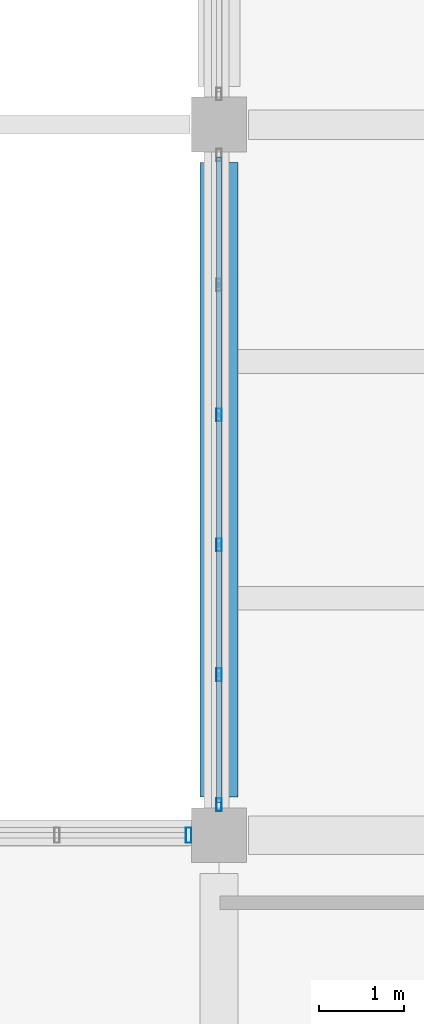
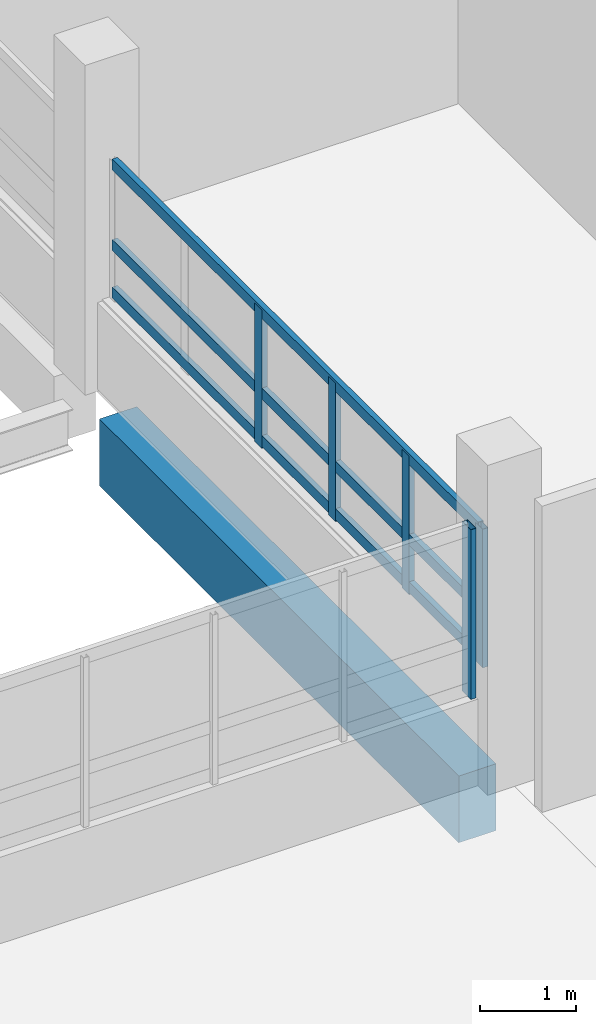
# One storey, part 20 of 101: 8 members, 1 beam, 2 elements without a shape of their own.
"""IFC4 building model written with IfcOpenShell, lengths in metres."""

import ifcopenshell
import ifcopenshell.guid

model = None  # the IFC model being written
_history = None  # IfcOwnerHistory: only IFC2X3 demands one
_inside = {}  # id of a spatial element -> (the spatial element, [elements in it])
_under = {}  # id of a project, library or spatial element -> (it, [spatial elements below it])
_declared = {}  # id of a project -> (the project, [libraries it declares])
_typed = {}  # id of a type object -> (the type object, [elements of that type])
_made_of = {}  # id of a material, layer set ... -> (it, [elements and type objects made of it])


def new_model(schema):
    """Start an empty IFC model of exactly this schema.

    Asked for "IFC4X3", IfcOpenShell would pick the latest addendum, in which some entities
    have other attributes; the version numbers below select the first issue.
    IFC2X3 requires an IfcOwnerHistory on every rooted entity: one is made here for all.
    """
    global model, _history
    if schema == "IFC4X3":
        model = ifcopenshell.file(schema_version=(4, 3, 0, 0))
    else:
        model = ifcopenshell.file(schema=schema)
    _inside.clear()
    _under.clear()
    _declared.clear()
    _typed.clear()
    _made_of.clear()
    _history = None
    if model.schema == "IFC2X3":
        org = make("IfcOrganization", Name="unknown")
        user = make(
            "IfcPersonAndOrganization",
            ThePerson=make("IfcPerson", FamilyName="unknown"),
            TheOrganization=org,
        )
        app = make(
            "IfcApplication",
            ApplicationDeveloper=org,
            Version="unknown",
            ApplicationFullName="unknown",
            ApplicationIdentifier="unknown",
        )
        _history = make(
            "IfcOwnerHistory",
            OwningUser=user,
            OwningApplication=app,
            ChangeAction="ADDED",
            CreationDate=0,
        )
    return model


def make(cls, **values):
    """One entity of the class cls with the attributes given. An attribute that is None is left unset."""
    return model.create_entity(
        cls, **{name: value for name, value in values.items() if value is not None}
    )


def rooted(cls, **values):
    """An entity with a GlobalId (a new one), such as an element, a storey or a relation."""
    return make(cls, GlobalId=ifcopenshell.guid.new(), OwnerHistory=_history, **values)


def si_unit(unit_type, name, prefix=None):
    """IfcSIUnit, for example si_unit("LENGTHUNIT", "METRE", prefix="MILLI")."""
    return make("IfcSIUnit", UnitType=unit_type, Prefix=prefix, Name=name)


def assignment(units):
    """IfcUnitAssignment: the units of a project."""
    return None if units is None else make("IfcUnitAssignment", Units=units)


def point(xyz):
    """IfcCartesianPoint."""
    return None if xyz is None else make("IfcCartesianPoint", Coordinates=xyz)


def direction(xyz):
    """IfcDirection."""
    return None if xyz is None else make("IfcDirection", DirectionRatios=xyz)


def frame(location, z_axis=None, x_axis=None):
    """IfcAxis2Placement3D, a coordinate frame: its origin and axes. An axis left out is left unset."""
    return make(
        "IfcAxis2Placement3D",
        Location=point(location),
        Axis=direction(z_axis),
        RefDirection=direction(x_axis),
    )


def frame_2d(location, x_axis=None):
    """IfcAxis2Placement2D, a coordinate frame in the plane: its origin and x axis."""
    return make(
        "IfcAxis2Placement2D", Location=point(location), RefDirection=direction(x_axis)
    )


def origin():
    """The frame at (0, 0, 0) with its axes left unset."""
    return frame((0.0, 0.0, 0.0))


def origin_2d():
    """The frame at (0, 0) in the plane with its x axis left unset."""
    return frame_2d((0.0, 0.0))


def place(relative_to, where):
    """IfcLocalPlacement: puts the frame where relative to a parent placement (None: the world)."""
    return make(
        "IfcLocalPlacement", PlacementRelTo=relative_to, RelativePlacement=where
    )


def context(
    kind, dimensions, precision=None, world=None, true_north=None, identifier=None
):
    """IfcGeometricRepresentationContext, for example the 3D "Model" context."""
    return make(
        "IfcGeometricRepresentationContext",
        ContextIdentifier=identifier,
        ContextType=kind,
        CoordinateSpaceDimension=dimensions,
        Precision=precision,
        WorldCoordinateSystem=world,
        TrueNorth=true_north,
    )


def subcontext(parent, identifier, kind, view, scale=None):
    """IfcGeometricRepresentationSubContext, for example "Body" below "Model"."""
    return make(
        "IfcGeometricRepresentationSubContext",
        ContextIdentifier=identifier,
        ContextType=kind,
        ParentContext=parent,
        TargetScale=scale,
        TargetView=view,
    )


def project(units=None, contexts=None):
    """IfcProject with its units and contexts."""
    return rooted(
        "IfcProject",
        Name="project",
        RepresentationContexts=contexts,
        UnitsInContext=assignment(units),
    )


def spatial(cls, under=None, at=None, **own):
    """A site, building, storey or space (cls), placed at a placement, below another one or the project."""
    s = rooted(cls, ObjectPlacement=at, **own)
    if under is not None:
        _under.setdefault(under.id(), (under, []))[1].append(s)
    return s


def profile(cls, at=None, kind="AREA", **sizes):
    """A parametric profile (cls). Its sizes go by their IFC names, for example OverallWidth=200.0."""
    return make(cls, ProfileType=kind, Position=at, **sizes)


def rectangle(**sizes):
    """IfcRectangleProfileDef."""
    return profile("IfcRectangleProfileDef", **sizes)


def hollow_rectangle(**sizes):
    """IfcRectangleHollowProfileDef."""
    return profile("IfcRectangleHollowProfileDef", **sizes)


def extrude(swept, where, along, depth):
    """IfcExtrudedAreaSolid: the profile swept, set in the frame where, extruded along a direction by depth."""
    return make(
        "IfcExtrudedAreaSolid",
        SweptArea=swept,
        Position=where,
        ExtrudedDirection=direction(along),
        Depth=depth,
    )


def shape(context_of_items, identifier, shape_type, items):
    """IfcShapeRepresentation: the items that make up one representation, for example the "Body"."""
    return make(
        "IfcShapeRepresentation",
        ContextOfItems=context_of_items,
        RepresentationIdentifier=identifier,
        RepresentationType=shape_type,
        Items=items,
    )


def material(Name=None, Category=None):
    """IfcMaterial."""
    return make("IfcMaterial", Name=Name, Category=Category)


def layer(
    of_material, thickness, ventilated=None, Name=None, Category=None, Priority=None
):
    """IfcMaterialLayer: one layer of a wall or slab, of a material (None: an air gap)."""
    return make(
        "IfcMaterialLayer",
        Material=of_material,
        LayerThickness=thickness,
        IsVentilated=ventilated,
        Name=Name,
        Category=Category,
        Priority=Priority,
    )


def layer_set(layers, Name=None):
    """IfcMaterialLayerSet."""
    return make("IfcMaterialLayerSet", MaterialLayers=layers, LayerSetName=Name)


def material_profile(
    of_material, cross_section, Name=None, Category=None, Priority=None
):
    """IfcMaterialProfile: a cross section and its material."""
    return make(
        "IfcMaterialProfile",
        Name=Name,
        Material=of_material,
        Profile=cross_section,
        Priority=Priority,
        Category=Category,
    )


def profile_set(profiles, Name=None, composite=None):
    """IfcMaterialProfileSet."""
    return make(
        "IfcMaterialProfileSet",
        Name=Name,
        MaterialProfiles=profiles,
        CompositeProfile=composite,
    )


def made_of(thing, what):
    """Note that an element or type object is made of a material, layer set ...; save() writes the relation."""
    if what is not None:
        _made_of.setdefault(what.id(), (what, []))[1].append(thing)
    return thing


def type_object(cls, material=None, **own):
    """A type object (cls), such as IfcWallType, which elements share."""
    return made_of(rooted(cls, **own), material)


def element(
    cls,
    number,
    at=None,
    inside=None,
    cuts=None,
    type_object=None,
    material=None,
    context=None,
    identifier="Body",
    shape_type=None,
    held_by="IfcProductDefinitionShape",
    body=None,
    shapes=None,
    **own,
):
    """One element of the class cls, such as IfcWall. Its Tag is "e" and its number.

    at: its placement. inside: the storey or other place that contains it. cuts: it is an
    opening in that element (IfcRelVoidsElement). A single representation is given by context,
    identifier, shape_type and body (its items); several are given by shapes. held_by: the class
    of the entity that holds the representations. save() writes the other relations.
    """
    e = rooted(cls, Tag="e%d" % number, ObjectPlacement=at, **own)
    if body is not None:
        shapes = [shape(context, identifier, shape_type, body)]
    if shapes is not None:
        e.Representation = make(held_by, Representations=shapes)
    if inside is not None:
        _inside.setdefault(inside.id(), (inside, []))[1].append(e)
    if cuts is not None:
        rooted(
            "IfcRelVoidsElement", RelatingBuildingElement=cuts, RelatedOpeningElement=e
        )
    if type_object is not None:
        _typed.setdefault(type_object.id(), (type_object, []))[1].append(e)
    return made_of(e, material)


def aggregate(whole, parts):
    """IfcRelAggregates: a whole, such as a stair, and the parts it consists of."""
    return rooted("IfcRelAggregates", RelatingObject=whole, RelatedObjects=parts)


def save(model, path):
    """Write the relations noted so far, then the file.

    IfcRelAggregates (storeys below a building ...), IfcRelContainedInSpatialStructure (elements
    in a storey), IfcRelDefinesByType, IfcRelAssociatesMaterial and IfcRelDeclares: one each for
    every whole, place, type object, material and project.
    """
    for whole, parts in _under.values():
        aggregate(whole, parts)
    for where, things in _inside.values():
        rooted(
            "IfcRelContainedInSpatialStructure",
            RelatedElements=things,
            RelatingStructure=where,
        )
    for kind, things in _typed.values():
        rooted("IfcRelDefinesByType", RelatedObjects=things, RelatingType=kind)
    for what, things in _made_of.values():
        rooted("IfcRelAssociatesMaterial", RelatedObjects=things, RelatingMaterial=what)
    for by, libraries in _declared.values():
        rooted("IfcRelDeclares", RelatingContext=by, RelatedDefinitions=libraries)
    model.write(path)


model = new_model("IFC4")

# Units and contexts
model_context = context("Model", 3, precision=1e-05, world=origin(), true_north=direction((0.0, 1.0)))
body_context = subcontext(model_context, "Body", "Model", "MODEL_VIEW")
ifc_project = project(units=[si_unit("LENGTHUNIT", "METRE"), si_unit("AREAUNIT", "SQUARE_METRE"), si_unit("VOLUMEUNIT", "CUBIC_METRE"), si_unit("PLANEANGLEUNIT", "RADIAN"), si_unit("MASSUNIT", "GRAM", prefix="KILO")], contexts=[model_context])

# Site, building, storey
site_placement = place(None, origin())
site = spatial("IfcSite", under=ifc_project, at=site_placement, CompositionType="ELEMENT")
building_placement = place(site_placement, origin())
building = spatial("IfcBuilding", under=site, at=building_placement, Name="Vireocrest Preparatory School", CompositionType="ELEMENT")
storey_placement = place(building_placement, frame((0.0, 0.0, 4.800048828125)))
storey = spatial("IfcBuildingStorey", under=building, at=storey_placement, Name="L01", CompositionType="ELEMENT", Elevation=4.800048828125)

# Curtain wall, members
ifc_material_1 = material(Name="Thermally broken aluminium EN AW-6063-T6", Category="aluminium")
ifc_layer_1 = layer(ifc_material_1, 0.179931640625)
ifc_layer_set_1 = layer_set([ifc_layer_1], Name="Thermally broken aluminium EN AW-6063-T6")
curtain_wall_type_1 = type_object("IfcCurtainWallType", Name="Court Banded Curtain Wall 8400x3000", PredefinedType="USERDEFINED", material=ifc_layer_set_1)
curtain_wall_1_placement = place(storey_placement, origin())
curtain_wall_1 = element("IfcCurtainWall", 1, at=curtain_wall_1_placement, inside=storey, type_object=curtain_wall_type_1, Name="Curtain Wall CW02 CW_L01_CW02_0924_0273_060", ObjectType="CURTAIN WALL", PredefinedType="USERDEFINED")
ifc_material_profile_1 = material_profile(ifc_material_1, hollow_rectangle(XDim=0.06494140625, YDim=0.14990234375, WallThickness=0.00390625, at=origin_2d()), Name="ALU 65x150x4")
ifc_profile_set_1 = profile_set([ifc_material_profile_1], Name="Thermally broken aluminium EN AW-6063-T6")
member_type_1 = type_object("IfcMemberType", Name="CW Mullion 65x150x4", PredefinedType="MULLION", material=ifc_profile_set_1)
member_1_placement = place(storey_placement, frame((92.39990234375, 27.360107421875, 1.14990234375), z_axis=(0.0, 0.0, 1.0), x_axis=(1.0, 0.0, 0.0)))
member_1 = element("IfcMember", 2, at=member_1_placement, type_object=member_type_1, Name="CW Mullion ML1 CW_L01_CW02_0924_0273_060-1", PredefinedType="MULLION", context=body_context, shape_type="SweptSolid", body=[
    extrude(hollow_rectangle(XDim=0.06494140625, YDim=0.14990234375, WallThickness=0.00390625, at=origin_2d()), origin(), (0.0, 0.0, 1.0), 1.76513671875),
])
member_2_placement = place(storey_placement, frame((92.39990234375, 28.89599609375, 1.14990234375), z_axis=(0.0, 0.0, 1.0), x_axis=(1.0, 0.0, 0.0)))
member_2 = element("IfcMember", 3, at=member_2_placement, type_object=member_type_1, Name="CW Mullion ML1 CW_L01_CW02_0924_0273_060-2", PredefinedType="MULLION", context=body_context, shape_type="SweptSolid", body=[
    extrude(hollow_rectangle(XDim=0.06494140625, YDim=0.14990234375, WallThickness=0.00390625, at=origin_2d()), origin(), (0.0, 0.0, 1.0), 1.76513671875),
])
member_3_placement = place(storey_placement, frame((92.39990234375, 30.431884765625, 1.14990234375), z_axis=(0.0, 0.0, 1.0), x_axis=(1.0, 0.0, 0.0)))
member_3 = element("IfcMember", 4, at=member_3_placement, type_object=member_type_1, Name="CW Mullion ML1 CW_L01_CW02_0924_0273_060-3", PredefinedType="MULLION", context=body_context, shape_type="SweptSolid", body=[
    extrude(hollow_rectangle(XDim=0.06494140625, YDim=0.14990234375, WallThickness=0.00390625, at=origin_2d()), origin(), (0.0, 0.0, 1.0), 1.76513671875),
])
member_4_placement = place(storey_placement, frame((92.39990234375, 31.968017578125, 1.14990234375), z_axis=(0.0, 0.0, 1.0), x_axis=(1.0, 0.0, 0.0)))
member_4 = element("IfcMember", 5, at=member_4_placement, type_object=member_type_1, Name="CW Mullion ML1 CW_L01_CW02_0924_0273_060-4", PredefinedType="MULLION", context=body_context, shape_type="SweptSolid", body=[
    extrude(hollow_rectangle(XDim=0.06494140625, YDim=0.14990234375, WallThickness=0.00390625, at=origin_2d()), origin(), (0.0, 0.0, 1.0), 1.76513671875),
])

# Curtain wall, member
ifc_layer_2 = layer(ifc_material_1, 0.179931640625)
ifc_layer_set_2 = layer_set([ifc_layer_2], Name="Thermally broken aluminium EN AW-6063-T6")
curtain_wall_type_2 = type_object("IfcCurtainWallType", Name="Bridge Link Glazing Wall 9000x3600", PredefinedType="USERDEFINED", material=ifc_layer_set_2)
curtain_wall_2_placement = place(storey_placement, origin())
curtain_wall_2 = element("IfcCurtainWall", 6, at=curtain_wall_2_placement, inside=storey, type_object=curtain_wall_type_2, Name="Curtain Wall CW12 CW_L01_CW12_0842_0270_059", ObjectType="CURTAIN WALL", PredefinedType="USERDEFINED")
ifc_material_profile_2 = material_profile(ifc_material_1, hollow_rectangle(XDim=0.06494140625, YDim=0.179931640625, WallThickness=0.00390625, at=origin_2d()), Name="ALU 65x180x4")
ifc_profile_set_2 = profile_set([ifc_material_profile_2], Name="Thermally broken aluminium EN AW-6063-T6")
member_type_2 = type_object("IfcMemberType", Name="CW Mullion 65x180x4", PredefinedType="MULLION", material=ifc_profile_set_2)
member_5_placement = place(storey_placement, frame((92.0400390625, 27.0, 1.099853515625), z_axis=(0.0, 0.0, 1.0), x_axis=(1.0, 0.0, 0.0)))
member_5 = element("IfcMember", 7, at=member_5_placement, type_object=member_type_2, Name="CW Mullion ML2 CW_L01_CW12_0842_0270_059-6", PredefinedType="MULLION", context=body_context, shape_type="SweptSolid", body=[
    extrude(hollow_rectangle(XDim=0.06494140625, YDim=0.179931640625, WallThickness=0.00390625, at=origin_2d()), origin(), (0.0, 0.0, 1.0), 2.1611328125),
])
aggregate(curtain_wall_2, [member_5])

# Member
ifc_material_profile_3 = material_profile(ifc_material_1, hollow_rectangle(XDim=0.06494140625, YDim=0.139892578125, WallThickness=0.00390625, at=origin_2d()), Name="ALU 65x140x4")
ifc_profile_set_3 = profile_set([ifc_material_profile_3], Name="Thermally broken aluminium EN AW-6063-T6")
member_type_3 = type_object("IfcMemberType", Name="CW Transom 65x140x4", PredefinedType="USERDEFINED", material=ifc_profile_set_3)
member_6_placement = place(storey_placement, frame((92.39990234375, 27.385009765625, 1.244873046875), z_axis=(0.0, 1.0, 0.0), x_axis=(-1.0, 0.0, 0.0)))
member_6 = element("IfcMember", 8, at=member_6_placement, type_object=member_type_3, Name="CW Transom TR1 CW_L01_CW02_0924_0273_060-1", ObjectType="TRANSOM", PredefinedType="USERDEFINED", context=body_context, shape_type="SweptSolid", body=[
    extrude(hollow_rectangle(XDim=0.06494140625, YDim=0.139892578125, WallThickness=0.00390625, at=origin_2d()), origin(), (0.0, 0.0, 1.0), 7.6298828125),
])

member_7_placement = place(storey_placement, frame((92.39990234375, 27.385009765625, 1.849853515625), z_axis=(0.0, 1.0, 0.0), x_axis=(-1.0, 0.0, 0.0)))
member_7 = element("IfcMember", 9, at=member_7_placement, type_object=member_type_3, Name="CW Transom TR1 CW_L01_CW02_0924_0273_060-2", ObjectType="TRANSOM", PredefinedType="USERDEFINED", context=body_context, shape_type="SweptSolid", body=[
    extrude(hollow_rectangle(XDim=0.06494140625, YDim=0.139892578125, WallThickness=0.00390625, at=origin_2d()), origin(), (0.0, 0.0, 1.0), 7.6298828125),
])

member_8_placement = place(storey_placement, frame((92.39990234375, 27.385009765625, 2.875), z_axis=(0.0, 1.0, 0.0), x_axis=(-1.0, 0.0, 0.0)))
member_8 = element("IfcMember", 10, at=member_8_placement, type_object=member_type_3, Name="CW Transom TR1 CW_L01_CW02_0924_0273_060-3", ObjectType="TRANSOM", PredefinedType="USERDEFINED", context=body_context, shape_type="SweptSolid", body=[
    extrude(hollow_rectangle(XDim=0.06494140625, YDim=0.139892578125, WallThickness=0.00390625, at=origin_2d()), origin(), (0.0, 0.0, 1.0), 7.6298828125),
])

aggregate(curtain_wall_1, [member_1, member_2, member_3, member_4, member_6, member_7, member_8])

# Beam
ifc_material_2 = material(Name="Concrete 40 MPa", Category="concrete")
ifc_material_profile_4 = material_profile(ifc_material_2, rectangle(XDim=0.449951171875, YDim=0.85009765625, at=origin_2d()), Name="RC 450x850")
ifc_profile_set_4 = profile_set([ifc_material_profile_4], Name="Concrete 40 MPa")
beam_type = type_object("IfcBeamType", Name="RC Heavy Floor Girder 450x850", PredefinedType="BEAM", material=ifc_profile_set_4)
beam_placement = place(storey_placement, frame((92.39990234375, 27.449951171875, -0.68505859375), z_axis=(0.0, 1.0, 0.0), x_axis=(-1.0, 0.0, 0.0)))
element("IfcBeam", 11, at=beam_placement, inside=storey, type_object=beam_type, Name="Primary Girder B13 L01-0438", PredefinedType="BEAM", context=body_context, shape_type="SweptSolid", body=[
    extrude(rectangle(XDim=0.449951171875, YDim=0.85009765625, at=origin_2d()), origin(), (0.0, 0.0, 1.0), 7.5),
])

save(model, "model.ifc")
